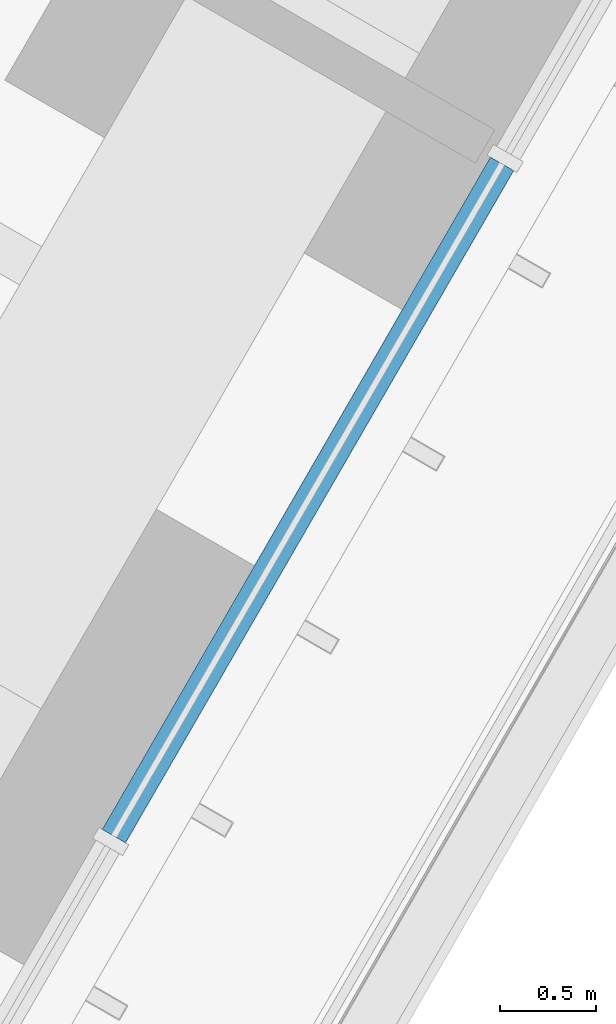
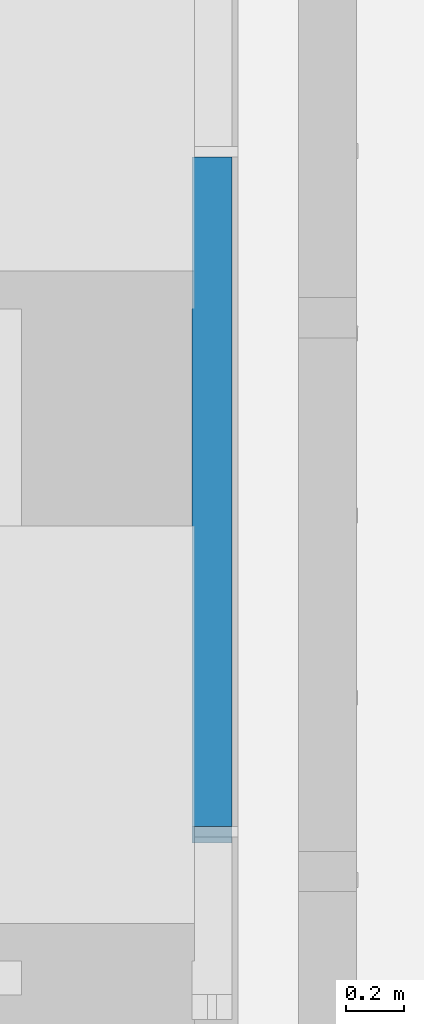
# One storey, part 80 of 238: 1 member, 1 element without a shape of its own.
"""IFC4 building model written with IfcOpenShell, lengths in metres."""

from ifc_helpers import new_model, si_unit, direction, frame, origin, origin_2d, place, context, subcontext, project, spatial, rectangle, extrude, material, material_profile, profile_set, type_object, element, aggregate, save


model = new_model("IFC4")

# Units and contexts
model_context = context("Model", 3, precision=1e-05, world=origin(), true_north=direction((0.0, 1.0)))
body_context = subcontext(model_context, "Body", "Model", "MODEL_VIEW")
ifc_project = project(units=[si_unit("LENGTHUNIT", "METRE"), si_unit("AREAUNIT", "SQUARE_METRE"), si_unit("VOLUMEUNIT", "CUBIC_METRE"), si_unit("PLANEANGLEUNIT", "RADIAN"), si_unit("MASSUNIT", "GRAM", prefix="KILO")], contexts=[model_context])

# Site, building, storey
site_placement = place(None, origin())
site = spatial("IfcSite", under=ifc_project, at=site_placement, CompositionType="ELEMENT")
building_placement = place(site_placement, origin())
building = spatial("IfcBuilding", under=site, at=building_placement, Name="Sandreach Pilgrim Tower", CompositionType="ELEMENT")
storey_placement = place(building_placement, frame((0.0, 0.0, 96.800048828125)))
storey = spatial("IfcBuildingStorey", under=building, at=storey_placement, Name="L23", CompositionType="ELEMENT", Elevation=96.800048828125)

# Curtain wall, member
ifc_material_1 = material(Name="Aluminium framed curtain wall", Category="aluminium")
curtain_wall_type = type_object("IfcCurtainWallType", Name="Hotel tower curtain wall", PredefinedType="NOTDEFINED", material=ifc_material_1)
curtain_wall_placement = place(storey_placement, origin())
curtain_wall = element("IfcCurtainWall", 1, at=curtain_wall_placement, inside=storey, type_object=curtain_wall_type, Name="CW-2 L23 SE", PredefinedType="NOTDEFINED")
ifc_material_2 = material(Name="Aluminium extrusion", Category="aluminium")
ifc_material_profile = material_profile(ifc_material_2, rectangle(XDim=0.139892578125, YDim=0.070068359375, at=origin_2d()), Name="CW-2T 140X70")
ifc_profile_set = profile_set([ifc_material_profile], Name="Aluminium extrusion")
member_type = type_object("IfcMemberType", Name="CW-2 transom", PredefinedType="USERDEFINED", material=ifc_profile_set)
member_placement = place(storey_placement, frame((16.3837890625, -16.610107421875, 3.60498046875), z_axis=(-0.499997818338, -0.866026663364, 0.0), x_axis=(0.866026663364, -0.499997818338, 0.0)))
member = element("IfcMember", 2, at=member_placement, type_object=member_type, Name="CW-2 head transom 7", ObjectType="TRANSOM", PredefinedType="USERDEFINED", context=body_context, shape_type="SweptSolid", body=[
    extrude(rectangle(XDim=0.139892578125, YDim=0.070068359375, at=origin_2d()), origin(), (0.0, 0.0, 1.0), 4.0419921875),
])
aggregate(curtain_wall, [member])

save(model, "model.ifc")
